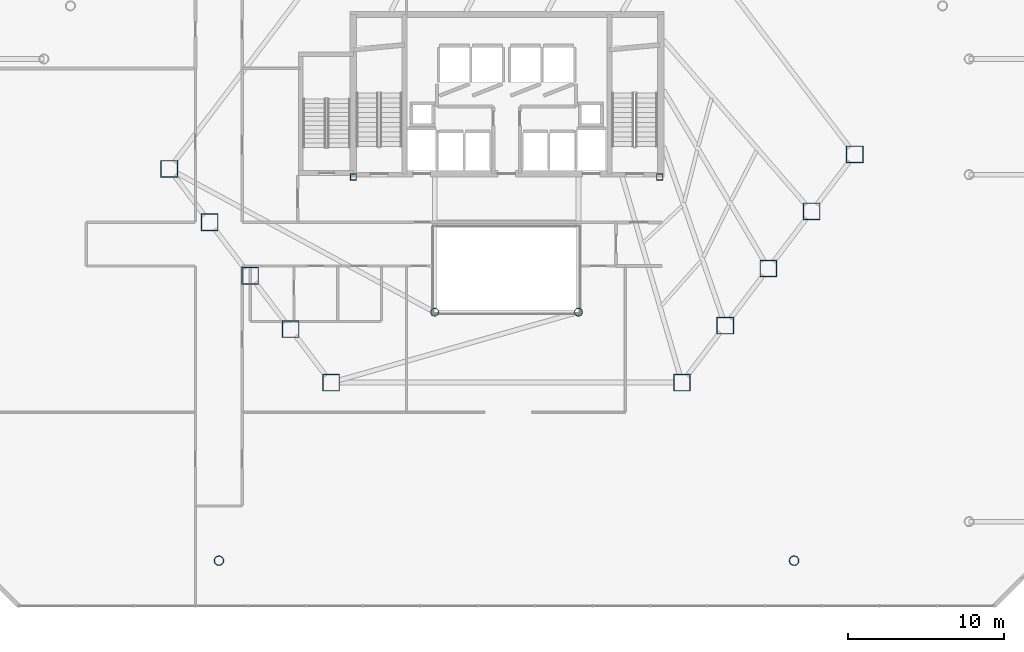
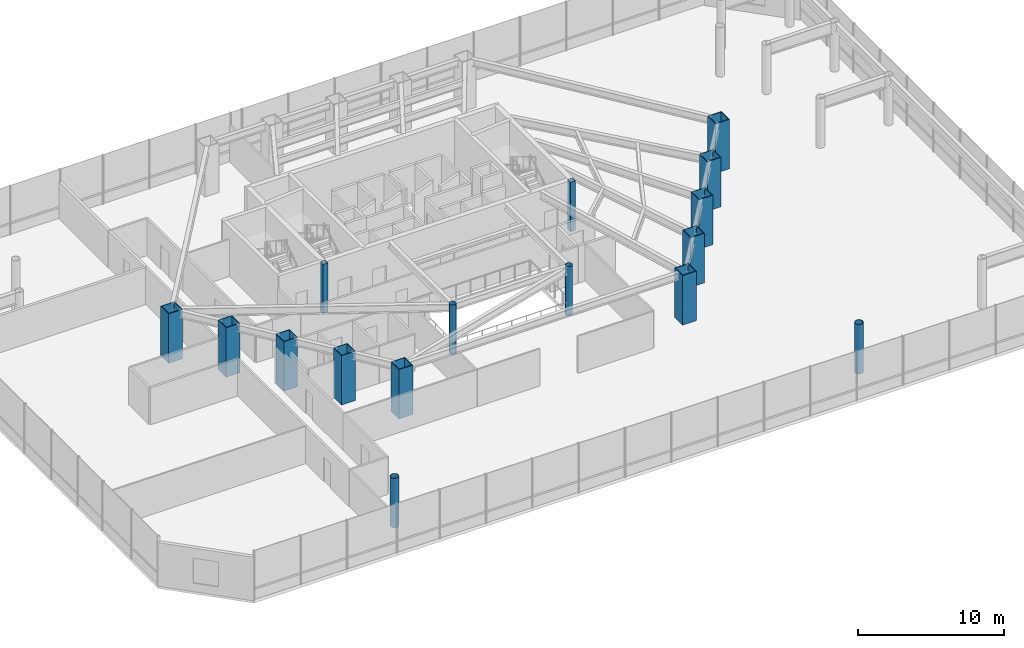
# One storey, part 1 of 37: 16 columns.
"""IFC4 building model written with IfcOpenShell, lengths in metres."""

from ifc_helpers import new_model, si_unit, direction, frame, origin, origin_2d, place, context, subcontext, project, spatial, hollow_rectangle, hollow_circle, extrude, material, material_profile, profile_set, type_object, element, save


model = new_model("IFC4")

# Units and contexts
model_context = context("Model", 3, precision=1e-05, world=origin(), true_north=direction((0.0, 1.0)))
body_context = subcontext(model_context, "Body", "Model", "MODEL_VIEW")
ifc_project = project(units=[si_unit("LENGTHUNIT", "METRE"), si_unit("AREAUNIT", "SQUARE_METRE"), si_unit("VOLUMEUNIT", "CUBIC_METRE"), si_unit("PLANEANGLEUNIT", "RADIAN"), si_unit("MASSUNIT", "GRAM", prefix="KILO")], contexts=[model_context])

# Site, building, storey
site_placement = place(None, origin())
site = spatial("IfcSite", under=ifc_project, at=site_placement, CompositionType="ELEMENT")
building_placement = place(site_placement, origin())
building = spatial("IfcBuilding", under=site, at=building_placement, Name="Zarrinselat Tower", CompositionType="ELEMENT")
storey_placement = place(building_placement, frame((0.0, 0.0, 9.52001953125)))
storey = spatial("IfcBuildingStorey", under=building, at=storey_placement, Name="L02", CompositionType="ELEMENT", Elevation=9.52001953125)

# Columns
ifc_material_1 = material(Name="Steel S355J2", Category="steel")
ifc_material_profile_1 = material_profile(ifc_material_1, hollow_circle(Radius=0.25390625, WallThickness=0.02001953125, at=origin_2d()), Name="CHS 508x20")
ifc_profile_set_1 = profile_set([ifc_material_profile_1], Name="Steel S355J2")
column_type_1 = type_object("IfcColumnType", Name="COL-CHS508", PredefinedType="COLUMN", material=ifc_profile_set_1)
for number, where, z_axis, x_axis, name in (
    (1, (33.800048828125, 24.39990234375, 0.0), (0.0, 0.0, 1.0), (1.0, 0.0, 0.0), "L02 Atrium Corner Column 1"),
    (2, (43.0, 24.39990234375, 0.0), (0.0, 0.0, 1.0), (1.0, 0.0, 0.0), "L02 Atrium Corner Column 2"),
):
    element("IfcColumn", number, at=place(storey_placement, frame(where, z_axis=z_axis, x_axis=x_axis)), inside=storey, type_object=column_type_1, Name=name, PredefinedType="COLUMN", context=body_context, shape_type="SweptSolid", body=[
        extrude(hollow_circle(Radius=0.25390625, WallThickness=0.02001953125, at=origin_2d()), origin(), (0.0, 0.0, 1.0), 4.139892578125),
    ])
ifc_material_2 = material(Name="Steel S355J2", Category="steel")
ifc_material_profile_2 = material_profile(ifc_material_2, hollow_circle(Radius=0.304931640625, WallThickness=0.02490234375, at=origin_2d()), Name="CHS 610x25")
ifc_profile_set_2 = profile_set([ifc_material_profile_2], Name="Steel S355J2")
column_type_2 = type_object("IfcColumnType", Name="COL-CHS610", PredefinedType="COLUMN", material=ifc_profile_set_2)
for number, where, z_axis, x_axis, name in (
    (3, (20.0, 8.5, 0.0), (0.0, 0.0, 1.0), (1.0, 0.0, 0.0), "L02 Garden Deck Support Column 1"),
    (4, (56.800048828125, 8.5, 0.0), (0.0, 0.0, 1.0), (1.0, 0.0, 0.0), "L02 Garden Deck Support Column 2"),
):
    element("IfcColumn", number, at=place(storey_placement, frame(where, z_axis=z_axis, x_axis=x_axis)), inside=storey, type_object=column_type_2, Name=name, PredefinedType="COLUMN", context=body_context, shape_type="SweptSolid", body=[
        extrude(hollow_circle(Radius=0.304931640625, WallThickness=0.02490234375, at=origin_2d()), origin(), (0.0, 0.0, 1.0), 4.139892578125),
    ])
ifc_material_3 = material(Name="Steel S460M", Category="steel")
ifc_material_profile_3 = material_profile(ifc_material_3, hollow_rectangle(XDim=1.10009765625, YDim=1.10009765625, WallThickness=0.054931640625, at=origin_2d()), Name="SHS 1100x1100x55")
ifc_profile_set_3 = profile_set([ifc_material_profile_3], Name="Steel S460M")
column_type_3 = type_object("IfcColumnType", Name="COL-SHS1100", PredefinedType="COLUMN", material=ifc_profile_set_3)
for number, where, z_axis, x_axis, name in (
    (5, (16.8154296875, 33.568115234375, 0.0), (0.0, 0.0, 1.0), (1.0, 0.0, 0.0), "L02 Framed-Tube Column T06"),
    (6, (19.40478515625, 30.14990234375, 0.0), (0.0, 0.0, 1.0), (1.0, 0.0, 0.0), "L02 Framed-Tube Column T07"),
    (7, (21.994384765625, 26.73193359375, 0.0), (0.0, 0.0, 1.0), (1.0, 0.0, 0.0), "L02 Framed-Tube Column T08"),
    (8, (24.58349609375, 23.31396484375, 0.0), (0.0, 0.0, 1.0), (1.0, 0.0, 0.0), "L02 Framed-Tube Column T09"),
    (9, (27.173095703125, 19.89599609375, 0.0), (0.0, 0.0, 1.0), (1.0, 0.0, 0.0), "L02 Framed-Tube Column T10"),
    (10, (49.626953125, 19.89599609375, 0.0), (0.0, 0.0, 1.0), (1.0, 0.0, 0.0), "L02 Framed-Tube Column T11"),
    (11, (52.391357421875, 23.544921875, 0.0), (0.0, 0.0, 1.0), (1.0, 0.0, 0.0), "L02 Framed-Tube Column T12"),
    (12, (55.15576171875, 27.194091796875, 0.0), (0.0, 0.0, 1.0), (1.0, 0.0, 0.0), "L02 Framed-Tube Column T13"),
    (13, (57.920166015625, 30.843017578125, 0.0), (0.0, 0.0, 1.0), (1.0, 0.0, 0.0), "L02 Framed-Tube Column T14"),
    (14, (60.6845703125, 34.491943359375, 0.0), (0.0, 0.0, 1.0), (1.0, 0.0, 0.0), "L02 Framed-Tube Column T15"),
):
    element("IfcColumn", number, at=place(storey_placement, frame(where, z_axis=z_axis, x_axis=x_axis)), inside=storey, type_object=column_type_3, Name=name, PredefinedType="COLUMN", context=body_context, shape_type="SweptSolid", body=[
        extrude(hollow_rectangle(XDim=1.10009765625, YDim=1.10009765625, WallThickness=0.054931640625, at=origin_2d()), origin(), (0.0, 0.0, 1.0), 4.139892578125),
    ])
ifc_material_4 = material(Name="Steel S355J2", Category="steel")
ifc_material_profile_4 = material_profile(ifc_material_4, hollow_rectangle(XDim=0.39990234375, YDim=0.39990234375, WallThickness=0.02001953125, at=origin_2d()), Name="SHS 400x400x20")
ifc_profile_set_4 = profile_set([ifc_material_profile_4], Name="Steel S355J2")
column_type_4 = type_object("IfcColumnType", Name="COL-SHS400", PredefinedType="PILASTER", material=ifc_profile_set_4)
for number, where, z_axis, x_axis, name in (
    (15, (28.60009765625, 33.050048828125, 0.0), (0.0, 0.0, 1.0), (1.0, 0.0, 0.0), "L02 Gallery Structural Pilaster 1"),
    (16, (48.199951171875, 33.050048828125, 0.0), (0.0, 0.0, 1.0), (1.0, 0.0, 0.0), "L02 Gallery Structural Pilaster 2"),
):
    element("IfcColumn", number, at=place(storey_placement, frame(where, z_axis=z_axis, x_axis=x_axis)), inside=storey, type_object=column_type_4, Name=name, PredefinedType="PILASTER", context=body_context, shape_type="SweptSolid", body=[
        extrude(hollow_rectangle(XDim=0.39990234375, YDim=0.39990234375, WallThickness=0.02001953125, at=origin_2d()), origin(), (0.0, 0.0, 1.0), 4.139892578125),
    ])

save(model, "model.ifc")
